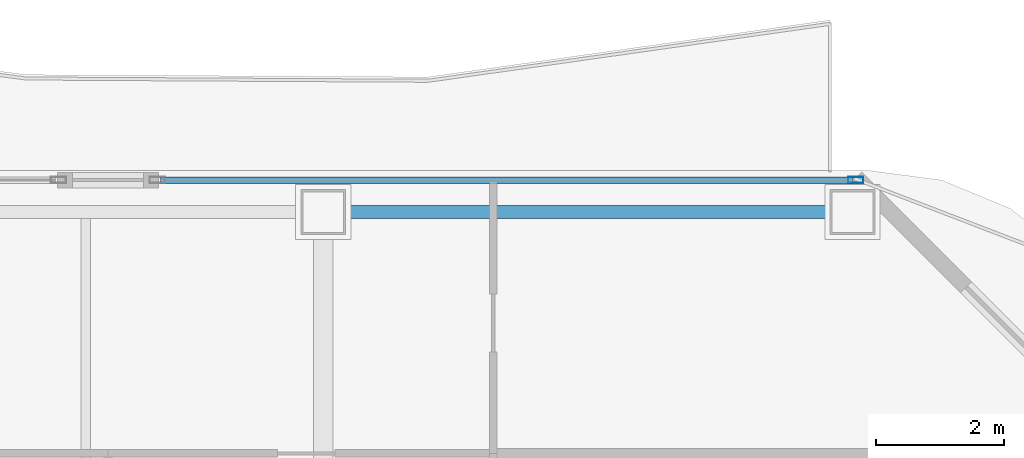
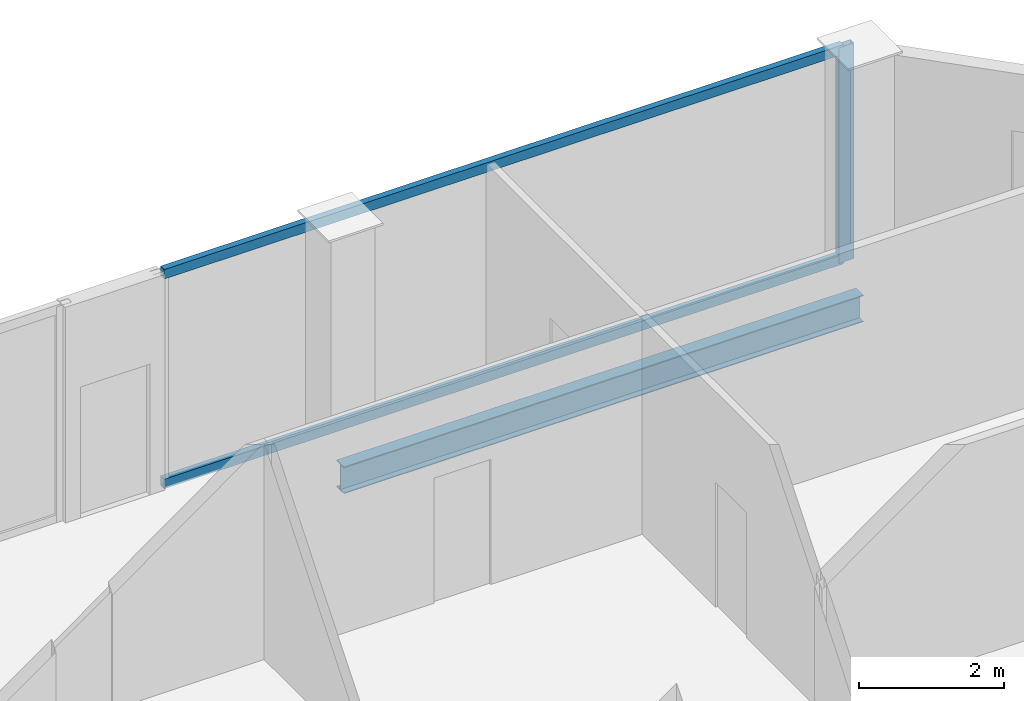
# One storey, part 18 of 27: 3 members, 1 beam, 1 element without a shape of its own.
"""IFC4 building model written with IfcOpenShell, lengths in metres."""

from ifc_helpers import new_model, si_unit, direction, frame, origin, origin_2d, place, context, subcontext, project, spatial, hollow_rectangle, i_section, extrude, material, layer, layer_set, material_profile, profile_set, type_object, element, aggregate, save


model = new_model("IFC4")

# Units and contexts
model_context = context("Model", 3, precision=1e-05, world=origin(), true_north=direction((0.0, 1.0)))
body_context = subcontext(model_context, "Body", "Model", "MODEL_VIEW")
ifc_project = project(units=[si_unit("LENGTHUNIT", "METRE"), si_unit("AREAUNIT", "SQUARE_METRE"), si_unit("VOLUMEUNIT", "CUBIC_METRE"), si_unit("PLANEANGLEUNIT", "RADIAN"), si_unit("MASSUNIT", "GRAM", prefix="KILO")], contexts=[model_context])

# Site, building, storey
site_placement = place(None, origin())
site = spatial("IfcSite", under=ifc_project, at=site_placement, CompositionType="ELEMENT")
building_placement = place(site_placement, origin())
building = spatial("IfcBuilding", under=site, at=building_placement, Name="Khorvyn Point Tower", CompositionType="ELEMENT")
storey_placement = place(building_placement, frame((0.0, 0.0, 132.89990234375)))
storey = spatial("IfcBuildingStorey", under=building, at=storey_placement, Name="L33", CompositionType="ELEMENT", Elevation=132.89990234375)

# Curtain wall, members
ifc_material_1 = material(Name="Anodised aluminium 6063-T6 and laminated Low-E glass", Category="aluminium")
ifc_layer = layer(ifc_material_1, 0.18994140625)
ifc_layer_set = layer_set([ifc_layer], Name="Stick-Built Acoustic Curtain Wall CW-SYS-03")
curtain_wall_type = type_object("IfcCurtainWallType", Name="Stick-Built Acoustic Curtain Wall CW-SYS-03", PredefinedType="NOTDEFINED", material=ifc_layer_set)
curtain_wall_placement = place(storey_placement, origin())
curtain_wall = element("IfcCurtainWall", 1, at=curtain_wall_placement, inside=storey, type_object=curtain_wall_type, Name="Curtain Wall", PredefinedType="NOTDEFINED")
ifc_material_2 = material(Name="Anodised aluminium 6063-T6", Category="aluminium")
ifc_material_profile_1 = material_profile(ifc_material_2, hollow_rectangle(XDim=0.10009765625, YDim=0.239990234375, WallThickness=0.0048828125, at=origin_2d()))
ifc_profile_set_1 = profile_set([ifc_material_profile_1], Name="Anodised aluminium 6063-T6 ALU-MUL-100x240")
member_type_1 = type_object("IfcMemberType", Name="Anodised Aluminium 6063-T6 Mullion ALU-MUL-100x240", PredefinedType="MULLION", material=ifc_profile_set_1)
member_1_placement = place(storey_placement, frame((23.10009765625, 29.449951171875, 0.0), z_axis=(0.0, 0.0, 1.0), x_axis=(0.0, 1.0, 0.0)))
member_1 = element("IfcMember", 2, at=member_1_placement, type_object=member_type_1, Name="Transom", PredefinedType="MULLION", context=body_context, shape_type="SweptSolid", body=[
    extrude(hollow_rectangle(XDim=0.10009765625, YDim=0.239990234375, WallThickness=0.0048828125, at=origin_2d()), origin(), (0.0, 0.0, 1.0), 3.6201171875),
])
ifc_material_profile_2 = material_profile(ifc_material_2, hollow_rectangle(XDim=0.10009765625, YDim=0.159912109375, WallThickness=0.00439453125, at=origin_2d()))
ifc_profile_set_2 = profile_set([ifc_material_profile_2], Name="Anodised aluminium 6063-T6 ALU-TRN-100x160")
member_type_2 = type_object("IfcMemberType", Name="Anodised Aluminium 6063-T6 Transom ALU-TRN-100x160", PredefinedType="USERDEFINED", material=ifc_profile_set_2)
member_2_placement = place(storey_placement, frame((12.263916015625, 29.449951171875, 0.050048828125), z_axis=(1.0, 0.0, 0.0), x_axis=(0.0, 1.0, 0.0)))
member_2 = element("IfcMember", 3, at=member_2_placement, type_object=member_type_2, Name="Transom", ObjectType="TRANSOM", PredefinedType="USERDEFINED", context=body_context, shape_type="SweptSolid", body=[
    extrude(hollow_rectangle(XDim=0.10009765625, YDim=0.159912109375, WallThickness=0.00439453125, at=origin_2d()), origin(), (0.0, 0.0, 1.0), 10.7861328125),
])
member_3_placement = place(storey_placement, frame((12.263916015625, 29.449951171875, 3.570068359375), z_axis=(1.0, 0.0, 0.0), x_axis=(0.0, 1.0, 0.0)))
member_3 = element("IfcMember", 4, at=member_3_placement, type_object=member_type_2, Name="Transom", ObjectType="TRANSOM", PredefinedType="USERDEFINED", context=body_context, shape_type="SweptSolid", body=[
    extrude(hollow_rectangle(XDim=0.10009765625, YDim=0.159912109375, WallThickness=0.00439453125, at=origin_2d()), origin(), (0.0, 0.0, 1.0), 10.7861328125),
])
aggregate(curtain_wall, [member_1, member_2, member_3])

# Beam
ifc_material_3 = material(Name="Steel S355", Category="steel")
ifc_material_profile_3 = material_profile(ifc_material_3, i_section(OverallWidth=0.199951171875, OverallDepth=0.449951171875, WebThickness=0.009033203125, FlangeThickness=0.013916015625, at=origin_2d()))
ifc_profile_set_3 = profile_set([ifc_material_profile_3], Name="Steel S355 H450x200x9x14")
beam_type = type_object("IfcBeamType", Name="Steel S355 Spandrel H450x200x9x14", PredefinedType="SPANDREL", material=ifc_profile_set_3)
beam_placement = place(storey_placement, frame((14.800048828125, 28.949951171875, -0.44482421875), z_axis=(1.0, 0.0, 0.0), x_axis=(0.0, 1.0, 0.0)))
element("IfcBeam", 5, at=beam_placement, inside=storey, type_object=beam_type, Name="Beam", PredefinedType="SPANDREL", context=body_context, shape_type="SweptSolid", body=[
    extrude(i_section(OverallWidth=0.199951171875, OverallDepth=0.449951171875, WebThickness=0.009033203125, FlangeThickness=0.013916015625, at=origin_2d()), origin(), (0.0, 0.0, 1.0), 8.25),
])

save(model, "model.ifc")
